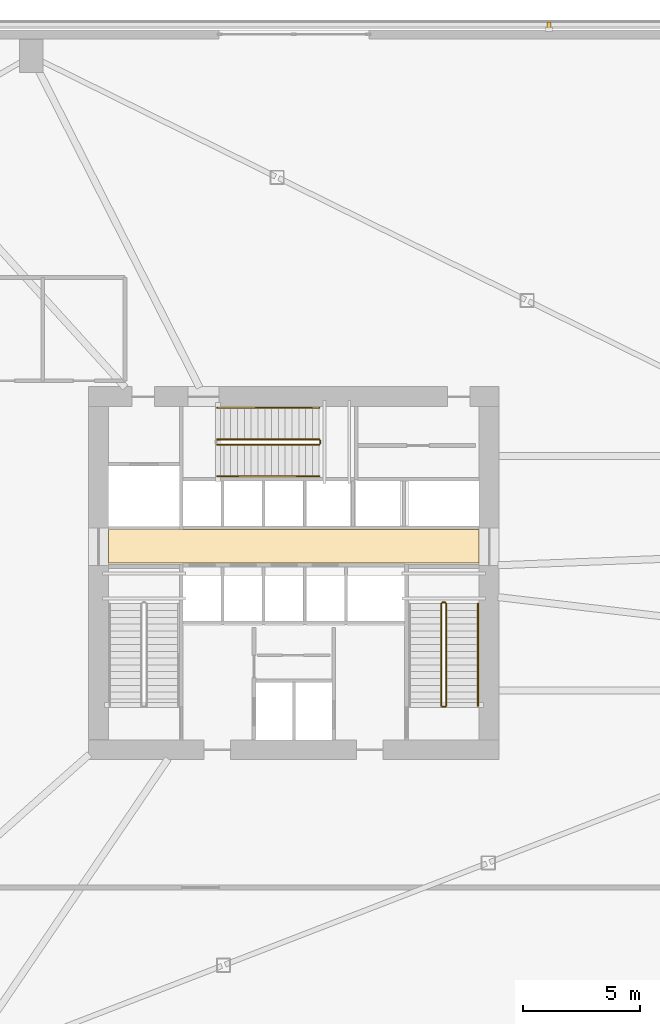
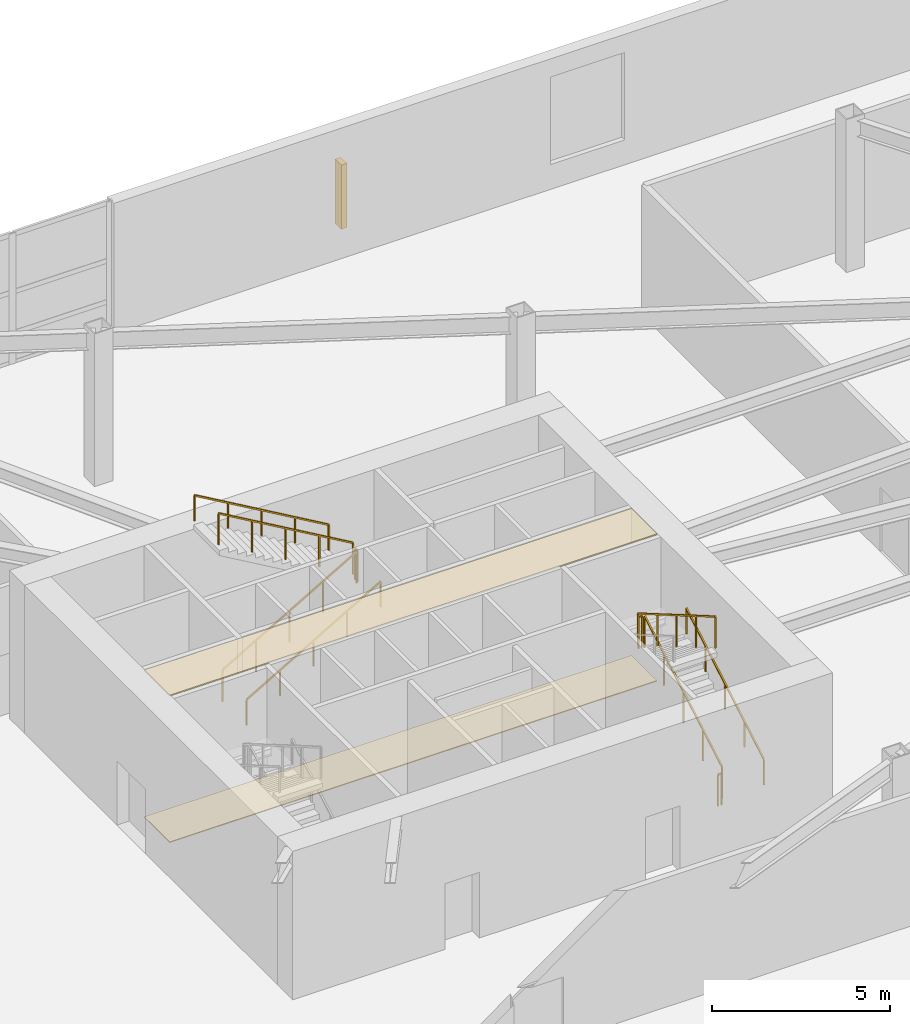
# One storey, part 14 of 15: 10 railings, 2 coverings, 1 shading device.
"""IFC4 building model written with IfcOpenShell, lengths in metres."""

from ifc_helpers import new_model, si_unit, direction, frame, origin, origin_2d, place, context, subcontext, project, spatial, polyline, rectangle, outline, extrude, source, transform, mapped, material, layer, layer_set, type_object, element, save


model = new_model("IFC4")

# Units and contexts
model_context = context("Model", 3, precision=1e-05, world=origin(), true_north=direction((0.0, 1.0)))
body_context = subcontext(model_context, "Body", "Model", "MODEL_VIEW")
ifc_project = project(units=[si_unit("LENGTHUNIT", "METRE"), si_unit("AREAUNIT", "SQUARE_METRE"), si_unit("VOLUMEUNIT", "CUBIC_METRE"), si_unit("PLANEANGLEUNIT", "RADIAN"), si_unit("MASSUNIT", "GRAM", prefix="KILO")], contexts=[model_context])

# Site, building, storey
site_placement = place(None, origin())
site = spatial("IfcSite", under=ifc_project, at=site_placement, CompositionType="ELEMENT")
building_placement = place(site_placement, origin())
building = spatial("IfcBuilding", under=site, at=building_placement, Name="Olszyna Solenne Hotel", CompositionType="ELEMENT")
storey_placement = place(building_placement, frame((0.0, 0.0, 10.199951171875)))
storey = spatial("IfcBuildingStorey", under=building, at=storey_placement, Name="L02", CompositionType="ELEMENT", Elevation=10.199951171875)

# Coverings
ifc_material_1 = material(Name="Mineral wool acoustic ceiling")
ifc_layer_1 = layer(ifc_material_1, 0.0400390625, Name="Mineral wool acoustic ceiling")
ifc_layer_set_1 = layer_set([ifc_layer_1], Name="Mineral wool acoustic ceiling")
covering_type_1 = type_object("IfcCoveringType", Name="CL-AC1", PredefinedType="CEILING", material=ifc_layer_set_1)
covering_1_placement = place(storey_placement, frame((0.0, 0.0, 5.02001953125)))
element("IfcCovering", 1, at=covering_1_placement, inside=storey, type_object=covering_type_1, Name="Lift lobby acoustic tile ceiling CL-L02-01", PredefinedType="CEILING", context=body_context, shape_type="SweptSolid", body=[
    extrude(outline(polyline([(30.10009765625, 27.030029296875), (45.89990234375, 27.030029296875), (45.89990234375, 28.4599609375), (30.10009765625, 28.4599609375), (30.10009765625, 27.030029296875)])), origin(), (0.0, 0.0, 1.0), 0.0400390625),
])
ifc_material_2 = material(Name="Ceramic floor tile")
ifc_layer_2 = layer(ifc_material_2, 0.030029296875, Name="Ceramic floor tile")
ifc_layer_set_2 = layer_set([ifc_layer_2], Name="Ceramic floor tile")
covering_type_2 = type_object("IfcCoveringType", Name="FL-TL1", PredefinedType="FLOORING", material=ifc_layer_set_2)
covering_2_placement = place(storey_placement, origin())
element("IfcCovering", 2, at=covering_2_placement, inside=storey, type_object=covering_type_2, Name="Lift lobby stoneware floor finish FLR-L02-01", PredefinedType="FLOORING", context=body_context, shape_type="SweptSolid", body=[
    extrude(outline(polyline([(30.10009765625, 27.030029296875), (45.89990234375, 27.030029296875), (45.89990234375, 28.4599609375), (30.10009765625, 28.4599609375), (30.10009765625, 27.030029296875)])), origin(), (0.0, 0.0, 1.0), 0.030029296875),
])

# Railings
ifc_material_3 = material(Name="Anodised bronze aluminium", Category="aluminium")
railing_type_1 = type_object("IfcRailingType", Name="GR-110", PredefinedType="BALUSTRADE", material=ifc_material_3)
railing_1_placement = place(storey_placement, frame((44.5, 20.949951171875, 0.168701171875)))
element("IfcRailing", 3, at=railing_1_placement, inside=storey, type_object=railing_type_1, Name="L02 ST2 stair guard 1", PredefinedType="BALUSTRADE", context=body_context, shape_type="SweptSolid", body=[
    extrude(rectangle(XDim=0.048095703125, YDim=0.048095703125, at=origin_2d()), frame((0.0, 0.0, 1.076171875), z_axis=(0.0, 0.864323800911, 0.50293574856), x_axis=(-1.0, 0.0, 0.0)), (0.0, 0.0, 1.0), 5.032958984375),
    extrude(rectangle(XDim=0.0419921875, YDim=0.0419921875, at=origin_2d()), origin(), (0.0, 0.0, 1.0), 1.052001953125),
    extrude(rectangle(XDim=0.0419921875, YDim=0.0419921875, at=origin_2d()), frame((0.0, 1.08740234375, 0.6328125)), (0.0, 0.0, 1.0), 1.052001953125),
    extrude(rectangle(XDim=0.0419921875, YDim=0.0419921875, at=origin_2d()), frame((0.0, 2.175048828125, 1.265625)), (0.0, 0.0, 1.0), 1.052001953125),
    extrude(rectangle(XDim=0.0419921875, YDim=0.0419921875, at=origin_2d()), frame((0.0, 3.2626953125, 1.8984375)), (0.0, 0.0, 1.0), 1.052001953125),
    extrude(rectangle(XDim=0.0419921875, YDim=0.0419921875, at=origin_2d()), frame((0.0, 4.35009765625, 2.53125)), (0.0, 0.0, 1.0), 1.052001953125),
])
railing_2_placement = place(storey_placement, frame((44.449951171875, 25.35009765625, 2.699951171875)))
element("IfcRailing", 4, at=railing_2_placement, inside=storey, type_object=railing_type_1, Name="L02 ST2 stair guard 2", PredefinedType="BALUSTRADE", context=body_context, shape_type="SweptSolid", body=[
    extrude(rectangle(XDim=0.048095703125, YDim=0.048095703125, at=origin_2d()), frame((0.0, 0.0, 1.076171875), z_axis=(-1.0, 0.0, 0.0), x_axis=(0.0, -1.0, 0.0)), (0.0, 0.0, 1.0), 0.119873046875),
    extrude(rectangle(XDim=0.0419921875, YDim=0.0419921875, at=origin_2d()), origin(), (0.0, 0.0, 1.0), 1.052001953125),
    extrude(rectangle(XDim=0.0419921875, YDim=0.0419921875, at=origin_2d()), frame((-0.119873046875, 0.0, 0.0)), (0.0, 0.0, 1.0), 1.052001953125),
])
railing_3_placement = place(storey_placement, frame((44.280029296875, 25.300048828125, 2.868896484375)))
element("IfcRailing", 5, at=railing_3_placement, inside=storey, type_object=railing_type_1, Name="L02 ST2 stair guard 3", PredefinedType="BALUSTRADE", context=body_context, shape_type="SweptSolid", body=[
    extrude(rectangle(XDim=0.048095703125, YDim=0.048095703125, at=origin_2d()), frame((0.0, 0.0, 1.076171875), z_axis=(0.0, -0.864323800911, 0.50293574856), x_axis=(1.0, 0.0, 0.0)), (0.0, 0.0, 1.0), 5.032958984375),
    extrude(rectangle(XDim=0.0419921875, YDim=0.0419921875, at=origin_2d()), origin(), (0.0, 0.0, 1.0), 1.052001953125),
    extrude(rectangle(XDim=0.0419921875, YDim=0.0419921875, at=origin_2d()), frame((0.0, -1.08740234375, 0.6328125)), (0.0, 0.0, 1.0), 1.052001953125),
    extrude(rectangle(XDim=0.0419921875, YDim=0.0419921875, at=origin_2d()), frame((0.0, -2.175048828125, 1.265625)), (0.0, 0.0, 1.0), 1.052001953125),
    extrude(rectangle(XDim=0.0419921875, YDim=0.0419921875, at=origin_2d()), frame((0.0, -3.2626953125, 1.8984375)), (0.0, 0.0, 1.0), 1.052001953125),
    extrude(rectangle(XDim=0.0419921875, YDim=0.0419921875, at=origin_2d()), frame((0.0, -4.35009765625, 2.53125)), (0.0, 0.0, 1.0), 1.052001953125),
])
railing_4_placement = place(storey_placement, frame((44.449951171875, 20.89990234375, 0.0)))
element("IfcRailing", 6, at=railing_4_placement, inside=storey, type_object=railing_type_1, Name="L02 ST2 stair guard 4", PredefinedType="BALUSTRADE", context=body_context, shape_type="SweptSolid", body=[
    extrude(rectangle(XDim=0.048095703125, YDim=0.048095703125, at=origin_2d()), frame((0.0, 0.0, 1.076171875), z_axis=(-1.0, 0.0, 0.0), x_axis=(0.0, -1.0, 0.0)), (0.0, 0.0, 1.0), 0.119873046875),
    extrude(rectangle(XDim=0.0419921875, YDim=0.0419921875, at=origin_2d()), origin(), (0.0, 0.0, 1.0), 1.052001953125),
    extrude(rectangle(XDim=0.0419921875, YDim=0.0419921875, at=origin_2d()), frame((-0.119873046875, 0.0, 0.0)), (0.0, 0.0, 1.0), 1.052001953125),
])
railing_5_placement = place(storey_placement, frame((34.72998046875, 32.080078125, 0.168701171875)))
element("IfcRailing", 7, at=railing_5_placement, inside=storey, type_object=railing_type_1, Name="L02 ST3 stair guard 1", PredefinedType="BALUSTRADE", context=body_context, shape_type="SweptSolid", body=[
    extrude(rectangle(XDim=0.048095703125, YDim=0.048095703125, at=origin_2d()), frame((0.0, 0.0, 1.076171875), z_axis=(0.864323800911, 0.0, 0.50293574856), x_axis=(0.0, 1.0, 0.0)), (0.0, 0.0, 1.0), 5.032958984375),
    extrude(rectangle(XDim=0.0419921875, YDim=0.0419921875, at=origin_2d()), origin(), (0.0, 0.0, 1.0), 1.052001953125),
    extrude(rectangle(XDim=0.0419921875, YDim=0.0419921875, at=origin_2d()), frame((1.08740234375, 0.0, 0.6328125)), (0.0, 0.0, 1.0), 1.052001953125),
    extrude(rectangle(XDim=0.0419921875, YDim=0.0419921875, at=origin_2d()), frame((2.175048828125, 0.0, 1.265625)), (0.0, 0.0, 1.0), 1.052001953125),
    extrude(rectangle(XDim=0.0419921875, YDim=0.0419921875, at=origin_2d()), frame((3.2626953125, 0.0, 1.8984375)), (0.0, 0.0, 1.0), 1.052001953125),
    extrude(rectangle(XDim=0.0419921875, YDim=0.0419921875, at=origin_2d()), frame((4.35009765625, 0.0, 2.53125)), (0.0, 0.0, 1.0), 1.052001953125),
])
railing_6_placement = place(storey_placement, frame((39.1298828125, 32.1298828125, 2.699951171875)))
element("IfcRailing", 8, at=railing_6_placement, inside=storey, type_object=railing_type_1, Name="L02 ST3 stair guard 2", PredefinedType="BALUSTRADE", context=body_context, shape_type="SweptSolid", body=[
    extrude(rectangle(XDim=0.048095703125, YDim=0.048095703125, at=origin_2d()), frame((0.0, 0.0, 1.076171875), z_axis=(0.0, 1.0, 0.0), x_axis=(-1.0, 0.0, 0.0)), (0.0, 0.0, 1.0), 0.1201171875),
    extrude(rectangle(XDim=0.0419921875, YDim=0.0419921875, at=origin_2d()), origin(), (0.0, 0.0, 1.0), 1.052001953125),
    extrude(rectangle(XDim=0.0419921875, YDim=0.0419921875, at=origin_2d()), frame((0.0, 0.1201171875, 0.0)), (0.0, 0.0, 1.0), 1.052001953125),
])
railing_7_placement = place(storey_placement, frame((39.080078125, 32.300048828125, 2.868896484375)))
element("IfcRailing", 9, at=railing_7_placement, inside=storey, type_object=railing_type_1, Name="L02 ST3 stair guard 3", PredefinedType="BALUSTRADE", context=body_context, shape_type="SweptSolid", body=[
    extrude(rectangle(XDim=0.048095703125, YDim=0.048095703125, at=origin_2d()), frame((0.0, 0.0, 1.076171875), z_axis=(-0.864323800911, 0.0, 0.50293574856), x_axis=(0.0, -1.0, 0.0)), (0.0, 0.0, 1.0), 5.032958984375),
    extrude(rectangle(XDim=0.0419921875, YDim=0.0419921875, at=origin_2d()), origin(), (0.0, 0.0, 1.0), 1.052001953125),
    extrude(rectangle(XDim=0.0419921875, YDim=0.0419921875, at=origin_2d()), frame((-1.08740234375, 0.0, 0.6328125)), (0.0, 0.0, 1.0), 1.052001953125),
    extrude(rectangle(XDim=0.0419921875, YDim=0.0419921875, at=origin_2d()), frame((-2.175048828125, 0.0, 1.265625)), (0.0, 0.0, 1.0), 1.052001953125),
    extrude(rectangle(XDim=0.0419921875, YDim=0.0419921875, at=origin_2d()), frame((-3.2626953125, 0.0, 1.8984375)), (0.0, 0.0, 1.0), 1.052001953125),
    extrude(rectangle(XDim=0.0419921875, YDim=0.0419921875, at=origin_2d()), frame((-4.35009765625, 0.0, 2.53125)), (0.0, 0.0, 1.0), 1.052001953125),
])
ifc_material_4 = material(Name="Steel S355J2", Category="steel")
railing_type_2 = type_object("IfcRailingType", Name="HR-090", PredefinedType="HANDRAIL", material=ifc_material_4)
railing_8_placement = place(storey_placement, frame((45.85009765625, 20.949951171875, 0.168701171875)))
element("IfcRailing", 10, at=railing_8_placement, inside=storey, type_object=railing_type_2, Name="L02 ST2 stair handrail 1", PredefinedType="HANDRAIL", context=body_context, shape_type="SweptSolid", body=[
    extrude(rectangle(XDim=0.048095703125, YDim=0.048095703125, at=origin_2d()), frame((0.0, 0.0, 0.8759765625), z_axis=(0.0, 0.864323800911, 0.50293574856), x_axis=(-1.0, 0.0, 0.0)), (0.0, 0.0, 1.0), 5.032958984375),
    extrude(rectangle(XDim=0.0419921875, YDim=0.0419921875, at=origin_2d()), origin(), (0.0, 0.0, 1.0), 0.851806640625),
    extrude(rectangle(XDim=0.0419921875, YDim=0.0419921875, at=origin_2d()), frame((0.0, 1.08740234375, 0.6328125)), (0.0, 0.0, 1.0), 0.851806640625),
    extrude(rectangle(XDim=0.0419921875, YDim=0.0419921875, at=origin_2d()), frame((0.0, 2.175048828125, 1.265625)), (0.0, 0.0, 1.0), 0.851806640625),
    extrude(rectangle(XDim=0.0419921875, YDim=0.0419921875, at=origin_2d()), frame((0.0, 3.2626953125, 1.8984375)), (0.0, 0.0, 1.0), 0.851806640625),
    extrude(rectangle(XDim=0.0419921875, YDim=0.0419921875, at=origin_2d()), frame((0.0, 4.35009765625, 2.53125)), (0.0, 0.0, 1.0), 0.851806640625),
])
railing_9_placement = place(storey_placement, frame((34.72998046875, 30.72998046875, 0.168701171875)))
element("IfcRailing", 11, at=railing_9_placement, inside=storey, type_object=railing_type_2, Name="L02 ST3 stair handrail 1", PredefinedType="HANDRAIL", context=body_context, shape_type="SweptSolid", body=[
    extrude(rectangle(XDim=0.048095703125, YDim=0.048095703125, at=origin_2d()), frame((0.0, 0.0, 0.8759765625), z_axis=(0.864323800911, 0.0, 0.50293574856), x_axis=(0.0, 1.0, 0.0)), (0.0, 0.0, 1.0), 5.032958984375),
    extrude(rectangle(XDim=0.0419921875, YDim=0.0419921875, at=origin_2d()), origin(), (0.0, 0.0, 1.0), 0.851806640625),
    extrude(rectangle(XDim=0.0419921875, YDim=0.0419921875, at=origin_2d()), frame((1.08740234375, 0.0, 0.6328125)), (0.0, 0.0, 1.0), 0.851806640625),
    extrude(rectangle(XDim=0.0419921875, YDim=0.0419921875, at=origin_2d()), frame((2.175048828125, 0.0, 1.265625)), (0.0, 0.0, 1.0), 0.851806640625),
    extrude(rectangle(XDim=0.0419921875, YDim=0.0419921875, at=origin_2d()), frame((3.2626953125, 0.0, 1.8984375)), (0.0, 0.0, 1.0), 0.851806640625),
    extrude(rectangle(XDim=0.0419921875, YDim=0.0419921875, at=origin_2d()), frame((4.35009765625, 0.0, 2.53125)), (0.0, 0.0, 1.0), 0.851806640625),
])
railing_10_placement = place(storey_placement, frame((39.080078125, 33.64990234375, 2.868896484375)))
element("IfcRailing", 12, at=railing_10_placement, inside=storey, type_object=railing_type_2, Name="L02 ST3 stair handrail 2", PredefinedType="HANDRAIL", context=body_context, shape_type="SweptSolid", body=[
    extrude(rectangle(XDim=0.048095703125, YDim=0.048095703125, at=origin_2d()), frame((0.0, 0.0, 0.8759765625), z_axis=(-0.864323800911, 0.0, 0.50293574856), x_axis=(0.0, -1.0, 0.0)), (0.0, 0.0, 1.0), 5.032958984375),
    extrude(rectangle(XDim=0.0419921875, YDim=0.0419921875, at=origin_2d()), origin(), (0.0, 0.0, 1.0), 0.851806640625),
    extrude(rectangle(XDim=0.0419921875, YDim=0.0419921875, at=origin_2d()), frame((-1.08740234375, 0.0, 0.6328125)), (0.0, 0.0, 1.0), 0.851806640625),
    extrude(rectangle(XDim=0.0419921875, YDim=0.0419921875, at=origin_2d()), frame((-2.175048828125, 0.0, 1.265625)), (0.0, 0.0, 1.0), 0.851806640625),
    extrude(rectangle(XDim=0.0419921875, YDim=0.0419921875, at=origin_2d()), frame((-3.2626953125, 0.0, 1.8984375)), (0.0, 0.0, 1.0), 0.851806640625),
    extrude(rectangle(XDim=0.0419921875, YDim=0.0419921875, at=origin_2d()), frame((-4.35009765625, 0.0, 2.53125)), (0.0, 0.0, 1.0), 0.851806640625),
])

# Shading device
ifc_material_5 = material(Name="Terracotta cladding", Category="masonry")
shading_device_type = type_object("IfcShadingDeviceType", Name="SH-FN1", PredefinedType="USERDEFINED", material=ifc_material_5)
shared_shape = source(origin(), body_context, "Body", "SweptSolid", [
    extrude(rectangle(XDim=0.179931640625, YDim=0.35009765625, at=origin_2d()), origin(), (0.0, 0.0, 1.0), 2.199951171875),
])
shading_device_placement = place(storey_placement, frame((48.875, 49.929931640625, 0.7001953125), z_axis=(0.0, 0.0, 1.0), x_axis=(1.0, 0.0, 0.0)))
element("IfcShadingDevice", 13, at=shading_device_placement, inside=storey, type_object=shading_device_type, Name="Vertical terracotta facade fin FN-L02-NE", ObjectType="FIN", PredefinedType="USERDEFINED", context=body_context, shape_type="MappedRepresentation", body=[
    mapped(shared_shape, transform((0.0, 0.0, 0.0), x_axis=(1.0, 0.0, 0.0), y_axis=(0.0, 1.0, 0.0), z_axis=(0.0, 0.0, 1.0), scale=1.0)),
])

save(model, "model.ifc")
